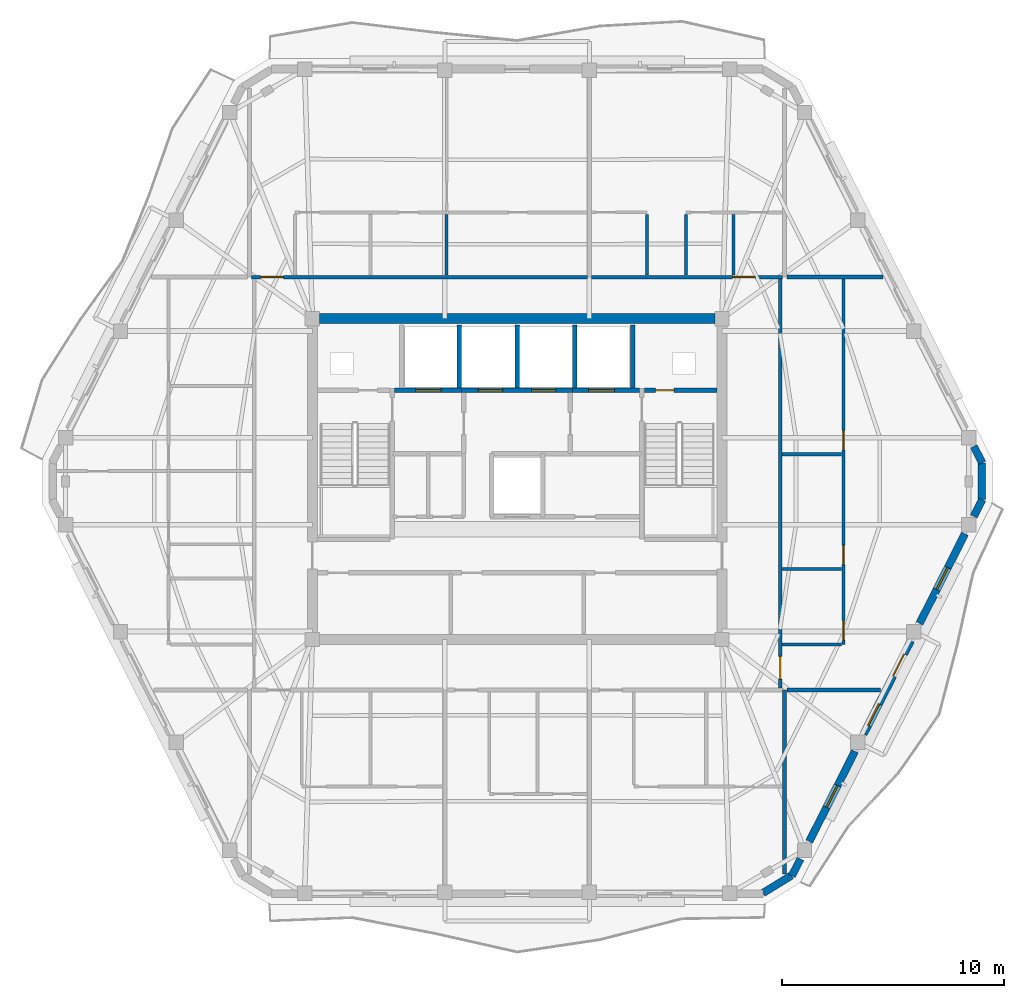
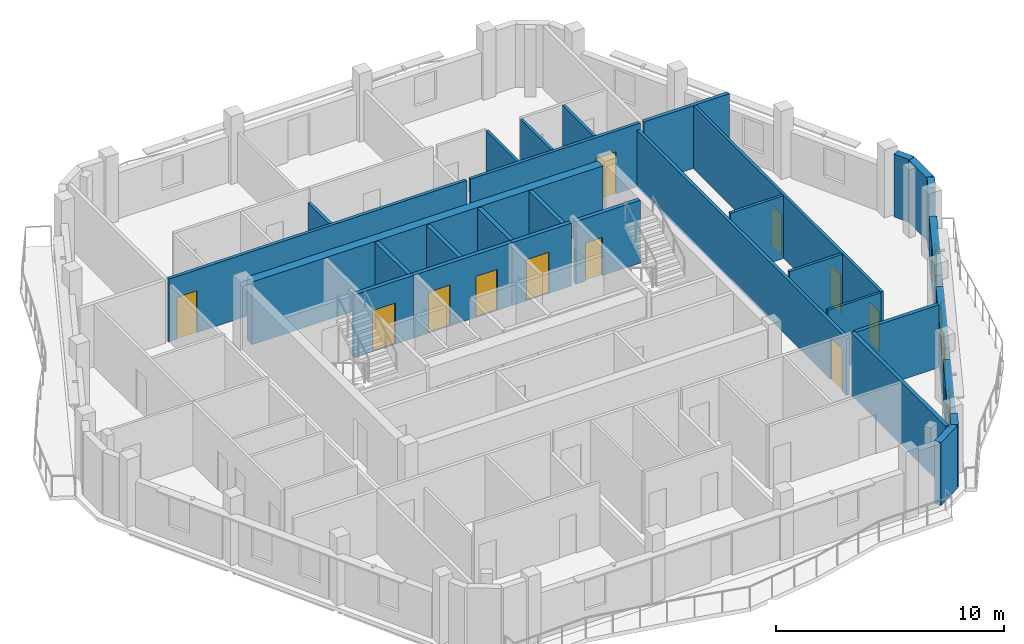
# One storey, part 6 of 11: 31 walls, 12 doors, 3 windows, 15 openings.
"""IFC4 building model written with IfcOpenShell, lengths in metres."""

from ifc_helpers import new_model, si_unit, direction, frame, frame_2d, origin, place, context, subcontext, project, spatial, rectangle, extrude, material, layer, layer_set, type_object, element, fill, save


model = new_model("IFC4")

# Units and contexts
model_context = context("Model", 3, precision=1e-05, world=origin(), true_north=direction((0.0, 1.0)))
body_context = subcontext(model_context, "Body", "Model", "MODEL_VIEW")
ifc_project = project(units=[si_unit("LENGTHUNIT", "METRE"), si_unit("AREAUNIT", "SQUARE_METRE"), si_unit("VOLUMEUNIT", "CUBIC_METRE"), si_unit("PLANEANGLEUNIT", "RADIAN"), si_unit("MASSUNIT", "GRAM", prefix="KILO")], contexts=[model_context])

# Site, building, storey
site_placement = place(None, origin())
site = spatial("IfcSite", under=ifc_project, at=site_placement, CompositionType="ELEMENT")
building_placement = place(site_placement, origin())
building = spatial("IfcBuilding", under=site, at=building_placement, Name="Cinnabar Lancet Tower", CompositionType="ELEMENT")
storey_placement = place(building_placement, frame((0.0, 0.0, 274.449951171875)))
storey = spatial("IfcBuildingStorey", under=building, at=storey_placement, Name="L73", CompositionType="ELEMENT", Elevation=274.449951171875)

# Wall, opening, door
ifc_material_1 = material(Name="Acoustic twin-stud gypsum partition", Category="gypsum")
ifc_layer_1 = layer(ifc_material_1, 0.159912109375)
ifc_layer_set_1 = layer_set([ifc_layer_1], Name="Acoustic twin-stud gypsum partition")
wall_type_1 = type_object("IfcWallType", Name="ARC-WL-CORR-160", PredefinedType="PARTITIONING", material=ifc_layer_set_1)
wall_1_placement = place(storey_placement, frame((20.445068359375, 35.0, 0.0), z_axis=(0.0, 0.0, 1.0), x_axis=(1.0, 0.0, 0.0)))
wall_1 = element("IfcWall", 1, at=wall_1_placement, inside=storey, type_object=wall_type_1, Name="L73 Unit N01 Corridor Wall", PredefinedType="PARTITIONING", context=body_context, shape_type="SweptSolid", body=[
    extrude(rectangle(XDim=15.114013671875, YDim=0.159912109375, at=frame_2d((7.55712890625, 0.0))), origin(), (0.0, 0.0, 1.0), 3.3701171875),
])
opening_1_placement = place(wall_1_placement, frame((0.405029296875, 0.0, 0.0)))
opening_1 = element("IfcOpeningElement", 2, at=opening_1_placement, cuts=wall_1, Name="Opening UD-01", PredefinedType="OPENING", context=body_context, shape_type="SweptSolid", body=[
    extrude(rectangle(XDim=1.02001953125, YDim=2.25, at=frame_2d((0.510009765625, 1.125))), frame((0.0, 0.08984375, 0.0), z_axis=(0.0, -1.0, 0.0), x_axis=(1.0, 0.0, 0.0)), (0.0, 0.0, 1.0), 0.179931640625),
])
ifc_material_2 = material(Name="Solid timber fire-rated apartment entrance door", Category="wood")
door_type_1 = type_object("IfcDoorType", Name="ARC-DR-UNIT", OperationType="NOTDEFINED", PredefinedType="DOOR", material=ifc_material_2)
door_1_placement = place(opening_1_placement, origin())
door_1 = element("IfcDoor", 3, at=door_1_placement, inside=storey, type_object=door_type_1, Name="DR-L73-N01-ENT", OperationType="SINGLE_SWING_LEFT", OverallHeight=2.25, OverallWidth=1.02001953125, PredefinedType="DOOR", context=body_context, shape_type="SweptSolid", body=[
    extrude(rectangle(XDim=1.02001953125, YDim=2.25, at=frame_2d((0.510009765625, 1.125))), frame((0.0, 0.02490234375, 0.0), z_axis=(0.0, -1.0, 0.0), x_axis=(1.0, 0.0, 0.0)), (0.0, 0.0, 1.0), 0.050048828125),
])
fill(opening_1, door_1)

wall_2_placement = place(storey_placement, frame((35.7490234375, 35.0, 0.0), z_axis=(0.0, 0.0, 1.0), x_axis=(1.0, 0.0, 0.0)))
wall_2 = element("IfcWall", 4, at=wall_2_placement, inside=storey, type_object=wall_type_1, Name="L73 Unit N02 Corridor Wall", PredefinedType="PARTITIONING", context=body_context, shape_type="SweptSolid", body=[
    extrude(rectangle(XDim=8.60595703125, YDim=0.159912109375, at=frame_2d((4.302978515625, 0.0))), origin(), (0.0, 0.0, 1.0), 3.3701171875),
])
opening_2_placement = place(wall_2_placement, frame((6.35107421875, 0.0, 0.0)))
opening_2 = element("IfcOpeningElement", 5, at=opening_2_placement, cuts=wall_2, Name="Opening UD-01", PredefinedType="OPENING", context=body_context, shape_type="SweptSolid", body=[
    extrude(rectangle(XDim=1.02001953125, YDim=2.25, at=frame_2d((0.510009765625, 1.125))), frame((0.0, 0.08984375, 0.0), z_axis=(0.0, -1.0, 0.0), x_axis=(1.0, 0.0, 0.0)), (0.0, 0.0, 1.0), 0.179931640625),
])
door_2_placement = place(opening_2_placement, origin())
door_2 = element("IfcDoor", 6, at=door_2_placement, inside=storey, type_object=door_type_1, Name="DR-L73-N02-ENT", OperationType="SINGLE_SWING_RIGHT", OverallHeight=2.25, OverallWidth=1.02001953125, PredefinedType="DOOR", context=body_context, shape_type="SweptSolid", body=[
    extrude(rectangle(XDim=1.02001953125, YDim=2.25, at=frame_2d((0.510009765625, 1.125))), frame((0.0, 0.02490234375, 0.0), z_axis=(0.0, -1.0, 0.0), x_axis=(1.0, 0.0, 0.0)), (0.0, 0.0, 1.0), 0.050048828125),
])
fill(opening_2, door_2)

wall_3_placement = place(storey_placement, frame((44.25, 16.4951171875, 0.0), z_axis=(0.0, 0.0, 1.0), x_axis=(0.0, 1.0, 0.0)))
wall_3 = element("IfcWall", 7, at=wall_3_placement, inside=storey, type_object=wall_type_1, Name="UW-L73-E01-COR", PredefinedType="PARTITIONING", context=body_context, shape_type="SweptSolid", body=[
    extrude(rectangle(XDim=18.409912109375, YDim=0.159912109375, at=frame_2d((9.205078125, 0.0))), origin(), (0.0, 0.0, 1.0), 3.05712890625),
])
opening_3_placement = place(wall_3_placement, frame((0.39990234375, 0.0, 0.0)))
opening_3 = element("IfcOpeningElement", 8, at=opening_3_placement, cuts=wall_3, Name="Opening UD-01", PredefinedType="OPENING", context=body_context, shape_type="SweptSolid", body=[
    extrude(rectangle(XDim=1.02001953125, YDim=2.25, at=frame_2d((0.510009765625, 1.125))), frame((0.0, 0.08984375, 0.0), z_axis=(0.0, -1.0, 0.0), x_axis=(1.0, 0.0, 0.0)), (0.0, 0.0, 1.0), 0.179931640625),
])
door_3_placement = place(opening_3_placement, origin())
door_3 = element("IfcDoor", 9, at=door_3_placement, inside=storey, type_object=door_type_1, Name="DR-L73-E01-ENT", OperationType="SINGLE_SWING_LEFT", OverallHeight=2.25, OverallWidth=1.02001953125, PredefinedType="DOOR", context=body_context, shape_type="SweptSolid", body=[
    extrude(rectangle(XDim=1.02001953125, YDim=2.25, at=frame_2d((0.510009765625, 1.125))), frame((0.0, 0.02490234375, 0.0), z_axis=(0.0, -1.0, 0.0), x_axis=(1.0, 0.0, 0.0)), (0.0, 0.0, 1.0), 0.050048828125),
])
fill(opening_3, door_3)

# Walls
ifc_material_3 = material(Name="Fire-rated twin-frame acoustic drywall", Category="gypsum")
ifc_layer_2 = layer(ifc_material_3, 0.179931640625)
ifc_layer_set_2 = layer_set([ifc_layer_2], Name="Fire-rated twin-frame acoustic drywall")
wall_type_2 = type_object("IfcWallType", Name="ARC-WL-PARTY-180", PredefinedType="PARTITIONING", material=ifc_layer_set_2)
wall_4_placement = place(storey_placement, frame((44.449951171875, 8.118896484375, 0.0), z_axis=(0.0, 0.0, 1.0), x_axis=(0.0, 1.0, 0.0)))
element("IfcWall", 10, at=wall_4_placement, inside=storey, type_object=wall_type_2, Name="PW-L73-SPTY-444", PredefinedType="PARTITIONING", context=body_context, shape_type="SweptSolid", body=[
    extrude(rectangle(XDim=8.281005859375, YDim=0.179931640625, at=frame_2d((4.140625, 0.0))), origin(), (0.0, 0.0, 1.0), 3.3701171875),
])
wall_5_placement = place(storey_placement, frame((44.544921875, 16.39990234375, 0.0), z_axis=(0.0, 0.0, 1.0), x_axis=(1.0, 0.0, 0.0)))
element("IfcWall", 11, at=wall_5_placement, inside=storey, type_object=wall_type_2, Name="PW-L73-ESB", PredefinedType="PARTITIONING", context=body_context, shape_type="SweptSolid", body=[
    extrude(rectangle(XDim=4.22119140625, YDim=0.179931640625, at=frame_2d((2.110595703125, 0.0))), origin(), (0.0, 0.0, 1.0), 3.3701171875),
])
wall_6_placement = place(storey_placement, frame((44.544921875, 35.0, 0.0), z_axis=(0.0, 0.0, 1.0), x_axis=(1.0, 0.0, 0.0)))
element("IfcWall", 12, at=wall_6_placement, inside=storey, type_object=wall_type_2, Name="PW-L73-ENB", PredefinedType="PARTITIONING", context=body_context, shape_type="SweptSolid", body=[
    extrude(rectangle(XDim=4.322021484375, YDim=0.179931640625, at=frame_2d((2.1611328125, 0.0))), origin(), (0.0, 0.0, 1.0), 3.3701171875),
])

# Wall, opening, door
ifc_material_4 = material(Name="Autoclaved aerated concrete blockwork", Category="masonry")
ifc_layer_3 = layer(ifc_material_4, 0.199951171875)
ifc_layer_set_3 = layer_set([ifc_layer_3], Name="Autoclaved aerated concrete blockwork")
wall_type_3 = type_object("IfcWallType", Name="ARC-WL-SHAFT-200", PredefinedType="PLUMBINGWALL", material=ifc_layer_set_3)
wall_7_placement = place(storey_placement, frame((26.885009765625, 29.89990234375, 0.0), z_axis=(0.0, 0.0, 1.0), x_axis=(1.0, 0.0, 0.0)))
wall_7 = element("IfcWall", 13, at=wall_7_placement, inside=storey, type_object=wall_type_3, Name="CW-FL1-L73", PredefinedType="PLUMBINGWALL", context=body_context, shape_type="SweptSolid", body=[
    extrude(rectangle(XDim=3.014892578125, YDim=0.199951171875, at=frame_2d((1.50732421875, 0.0))), origin(), (0.0, 0.0, 1.0), 3.3701171875),
])
opening_4_placement = place(wall_7_placement, frame((0.93994140625, 0.0, 0.0)))
opening_4 = element("IfcOpeningElement", 14, at=opening_4_placement, cuts=wall_7, Name="Opening LD-02", PredefinedType="OPENING", context=body_context, shape_type="SweptSolid", body=[
    extrude(rectangle(XDim=1.14990234375, YDim=2.199951171875, at=frame_2d((0.574951171875, 1.10009765625))), frame((0.0, 0.10986328125, 0.0), z_axis=(0.0, -1.0, 0.0), x_axis=(1.0, 0.0, 0.0)), (0.0, 0.0, 1.0), 0.219970703125),
])
ifc_material_5 = material(Name="Fire-rated stainless steel firefighting lift landing door", Category="steel")
door_type_2 = type_object("IfcDoorType", Name="ARC-DR-LD-FIRE", OperationType="NOTDEFINED", PredefinedType="DOOR", material=ifc_material_5)
door_4_placement = place(opening_4_placement, origin())
door_4 = element("IfcDoor", 15, at=door_4_placement, inside=storey, type_object=door_type_2, Name="L73 Firefighting Lift FL-1 Landing Door", OperationType="DOUBLE_DOOR_SLIDING", OverallHeight=2.199951171875, OverallWidth=1.14990234375, PredefinedType="DOOR", context=body_context, shape_type="SweptSolid", body=[
    extrude(rectangle(XDim=1.14990234375, YDim=2.199951171875, at=frame_2d((0.574951171875, 1.10009765625))), frame((0.0, 0.02490234375, 0.0), z_axis=(0.0, -1.0, 0.0), x_axis=(1.0, 0.0, 0.0)), (0.0, 0.0, 1.0), 0.050048828125),
])
fill(opening_4, door_4)

# Wall, openings, doors
wall_8_placement = place(storey_placement, frame((29.89990234375, 29.89990234375, 0.0), z_axis=(0.0, 0.0, 1.0), x_axis=(1.0, 0.0, 0.0)))
wall_8 = element("IfcWall", 16, at=wall_8_placement, inside=storey, type_object=wall_type_3, Name="CW-PL78-L73", PredefinedType="PLUMBINGWALL", context=body_context, shape_type="SweptSolid", body=[
    extrude(rectangle(XDim=5.0, YDim=0.199951171875, at=frame_2d((2.5, 0.0))), origin(), (0.0, 0.0, 1.0), 3.3701171875),
])
opening_5_placement = place(wall_8_placement, frame((0.75, 0.0, 0.0)))
opening_5 = element("IfcOpeningElement", 17, at=opening_5_placement, cuts=wall_8, Name="Opening LD-01", PredefinedType="OPENING", context=body_context, shape_type="SweptSolid", body=[
    extrude(rectangle(XDim=1.10009765625, YDim=2.199951171875, at=frame_2d((0.550048828125, 1.10009765625))), frame((0.0, 0.10986328125, 0.0), z_axis=(0.0, -1.0, 0.0), x_axis=(1.0, 0.0, 0.0)), (0.0, 0.0, 1.0), 0.219970703125),
])
opening_6_placement = place(wall_8_placement, frame((3.14990234375, 0.0, 0.0)))
opening_6 = element("IfcOpeningElement", 18, at=opening_6_placement, cuts=wall_8, Name="Opening LD-01", PredefinedType="OPENING", context=body_context, shape_type="SweptSolid", body=[
    extrude(rectangle(XDim=1.10009765625, YDim=2.199951171875, at=frame_2d((0.550048828125, 1.10009765625))), frame((0.0, 0.10986328125, 0.0), z_axis=(0.0, -1.0, 0.0), x_axis=(1.0, 0.0, 0.0)), (0.0, 0.0, 1.0), 0.219970703125),
])
ifc_material_6 = material(Name="Brushed stainless steel sliding lift door", Category="steel")
door_type_3 = type_object("IfcDoorType", Name="ARC-DR-LD-PASS", OperationType="NOTDEFINED", PredefinedType="DOOR", material=ifc_material_6)
door_5_placement = place(opening_5_placement, origin())
door_5 = element("IfcDoor", 19, at=door_5_placement, inside=storey, type_object=door_type_3, Name="L73 Lift PL-7 Landing Door", OperationType="DOUBLE_DOOR_SLIDING", OverallHeight=2.199951171875, OverallWidth=1.10009765625, PredefinedType="DOOR", context=body_context, shape_type="SweptSolid", body=[
    extrude(rectangle(XDim=1.10009765625, YDim=2.199951171875, at=frame_2d((0.550048828125, 1.10009765625))), frame((0.0, 0.02490234375, 0.0), z_axis=(0.0, -1.0, 0.0), x_axis=(1.0, 0.0, 0.0)), (0.0, 0.0, 1.0), 0.050048828125),
])
fill(opening_5, door_5)
door_6_placement = place(opening_6_placement, origin())
door_6 = element("IfcDoor", 20, at=door_6_placement, inside=storey, type_object=door_type_3, Name="L73 Lift PL-8 Landing Door", OperationType="DOUBLE_DOOR_SLIDING", OverallHeight=2.199951171875, OverallWidth=1.10009765625, PredefinedType="DOOR", context=body_context, shape_type="SweptSolid", body=[
    extrude(rectangle(XDim=1.10009765625, YDim=2.199951171875, at=frame_2d((0.550048828125, 1.10009765625))), frame((0.0, 0.02490234375, 0.0), z_axis=(0.0, -1.0, 0.0), x_axis=(1.0, 0.0, 0.0)), (0.0, 0.0, 1.0), 0.050048828125),
])
fill(opening_6, door_6)

# Wall, opening, door
wall_9_placement = place(storey_placement, frame((34.89990234375, 29.89990234375, 0.0), z_axis=(0.0, 0.0, 1.0), x_axis=(1.0, 0.0, 0.0)))
wall_9 = element("IfcWall", 21, at=wall_9_placement, inside=storey, type_object=wall_type_3, Name="CW-FL2-L73", PredefinedType="PLUMBINGWALL", context=body_context, shape_type="SweptSolid", body=[
    extrude(rectangle(XDim=3.01513671875, YDim=0.199951171875, at=frame_2d((1.507568359375, 0.0))), origin(), (0.0, 0.0, 1.0), 3.3701171875),
])
opening_7_placement = place(wall_9_placement, frame((0.72509765625, 0.0, 0.0)))
opening_7 = element("IfcOpeningElement", 22, at=opening_7_placement, cuts=wall_9, Name="Opening LD-02", PredefinedType="OPENING", context=body_context, shape_type="SweptSolid", body=[
    extrude(rectangle(XDim=1.14990234375, YDim=2.199951171875, at=frame_2d((0.574951171875, 1.10009765625))), frame((0.0, 0.10986328125, 0.0), z_axis=(0.0, -1.0, 0.0), x_axis=(1.0, 0.0, 0.0)), (0.0, 0.0, 1.0), 0.219970703125),
])
door_7_placement = place(opening_7_placement, origin())
door_7 = element("IfcDoor", 23, at=door_7_placement, inside=storey, type_object=door_type_2, Name="L73 Firefighting Lift FL-2 Landing Door", OperationType="DOUBLE_DOOR_SLIDING", OverallHeight=2.199951171875, OverallWidth=1.14990234375, PredefinedType="DOOR", context=body_context, shape_type="SweptSolid", body=[
    extrude(rectangle(XDim=1.14990234375, YDim=2.199951171875, at=frame_2d((0.574951171875, 1.10009765625))), frame((0.0, 0.02490234375, 0.0), z_axis=(0.0, -1.0, 0.0), x_axis=(1.0, 0.0, 0.0)), (0.0, 0.0, 1.0), 0.050048828125),
])
fill(opening_7, door_7)

wall_10_placement = place(storey_placement, frame((38.125, 29.89990234375, 0.0), z_axis=(0.0, 0.0, 1.0), x_axis=(1.0, 0.0, 0.0)))
wall_10 = element("IfcWall", 24, at=wall_10_placement, inside=storey, type_object=wall_type_3, Name="CW-NSH-E-L73", PredefinedType="PLUMBINGWALL", context=body_context, shape_type="SweptSolid", body=[
    extrude(rectangle(XDim=3.27001953125, YDim=0.199951171875, at=frame_2d((1.635009765625, 0.0))), origin(), (0.0, 0.0, 1.0), 3.3701171875),
])
opening_8_placement = place(wall_10_placement, frame((0.5, 0.0, 0.0)))
opening_8 = element("IfcOpeningElement", 25, at=opening_8_placement, cuts=wall_10, Name="Opening PD-02", PredefinedType="OPENING", context=body_context, shape_type="SweptSolid", body=[
    extrude(rectangle(XDim=0.85009765625, YDim=2.050048828125, at=frame_2d((0.425048828125, 1.02490234375))), frame((0.0, 0.10986328125, 0.0), z_axis=(0.0, -1.0, 0.0), x_axis=(1.0, 0.0, 0.0)), (0.0, 0.0, 1.0), 0.219970703125),
])
ifc_material_7 = material(Name="Fire-rated steel riser access door", Category="steel")
door_type_4 = type_object("IfcDoorType", Name="ARC-DR-RISER", OperationType="NOTDEFINED", PredefinedType="DOOR", material=ifc_material_7)
door_8_placement = place(opening_8_placement, origin())
door_8 = element("IfcDoor", 26, at=door_8_placement, inside=storey, type_object=door_type_4, Name="L73 East Riser Access Door", OperationType="SINGLE_SWING_RIGHT", OverallHeight=2.050048828125, OverallWidth=0.85009765625, PredefinedType="DOOR", context=body_context, shape_type="SweptSolid", body=[
    extrude(rectangle(XDim=0.85009765625, YDim=2.050048828125, at=frame_2d((0.425048828125, 1.02490234375))), frame((0.0, 0.02490234375, 0.0), z_axis=(0.0, -1.0, 0.0), x_axis=(1.0, 0.0, 0.0)), (0.0, 0.0, 1.0), 0.050048828125),
])
fill(opening_8, door_8)

# Walls
for number, where, z_axis, x_axis, name in (
    (27, (29.800048828125, 30.0, 0.0), (0.0, 0.0, 1.0), (0.0, 1.0, 0.0), "CW-NSH-D2-L73"),
    (28, (32.39990234375, 30.0, 0.0), (0.0, 0.0, 1.0), (0.0, 1.0, 0.0), "CW-NSH-D3-L73"),
    (29, (35.0, 30.0, 0.0), (0.0, 0.0, 1.0), (0.0, 1.0, 0.0), "CW-NSH-D4-L73"),
    (30, (37.60009765625, 30.0, 0.0), (0.0, 0.0, 1.0), (0.0, 1.0, 0.0), "CW-NSH-D5-L73"),
):
    element("IfcWall", number, at=place(storey_placement, frame(where, z_axis=z_axis, x_axis=x_axis)), inside=storey, type_object=wall_type_3, Name=name, PredefinedType="PLUMBINGWALL", context=body_context, shape_type="SweptSolid", body=[
        extrude(rectangle(XDim=2.85009765625, YDim=0.199951171875, at=frame_2d((1.425048828125, 0.0))), origin(), (0.0, 0.0, 1.0), 3.3701171875),
    ])
ifc_material_8 = material(Name="Gypsum plasterboard stud partition", Category="gypsum")
ifc_layer_4 = layer(ifc_material_8, 0.125)
ifc_layer_set_4 = layer_set([ifc_layer_4], Name="Gypsum plasterboard stud partition")
wall_type_4 = type_object("IfcWallType", Name="ARC-WL-UNIT-125", PredefinedType="PARTITIONING", material=ifc_layer_set_4)
for number, where, z_axis, x_axis, name in (
    (31, (40.0, 35.0849609375, 0.0), (0.0, 0.0, 1.0), (0.0, 1.0, 0.0), "UW-L73-N02-FOYE"),
    (32, (38.25, 35.0849609375, 0.0), (0.0, 0.0, 1.0), (0.0, 1.0, 0.0), "UW-L73-N02-FOYW"),
):
    element("IfcWall", number, at=place(storey_placement, frame(where, z_axis=z_axis, x_axis=x_axis)), inside=storey, type_object=wall_type_4, Name=name, PredefinedType="PARTITIONING", context=body_context, shape_type="SweptSolid", body=[
        extrude(rectangle(XDim=2.72509765625, YDim=0.125, at=frame_2d((1.362548828125, 0.0))), origin(), (0.0, 0.0, 1.0), 3.3701171875),
    ])
wall_11_placement = place(storey_placement, frame((44.3349609375, 18.449951171875, 0.0), z_axis=(0.0, 0.0, 1.0), x_axis=(1.0, 0.0, 0.0)))
element("IfcWall", 33, at=wall_11_placement, inside=storey, type_object=wall_type_4, Name="UW-L73-E01-FOYN", PredefinedType="PARTITIONING", context=body_context, shape_type="SweptSolid", body=[
    extrude(rectangle(XDim=2.679931640625, YDim=0.125, at=frame_2d((1.33984375, 0.0))), origin(), (0.0, 0.0, 1.0), 3.3701171875),
])
ifc_material_9 = material(Name="Moisture-resistant cement-board plumbing wall", Category="masonry")
ifc_layer_5 = layer(ifc_material_9, 0.139892578125)
ifc_layer_set_5 = layer_set([ifc_layer_5], Name="Moisture-resistant cement-board plumbing wall")
wall_type_5 = type_object("IfcWallType", Name="ARC-WL-WET-140", PredefinedType="PLUMBINGWALL", material=ifc_layer_set_5)
wall_12_placement = place(storey_placement, frame((29.22607421875, 35.0849609375, 0.0), z_axis=(0.0, 0.0, 1.0), x_axis=(0.0, 1.0, 0.0)))
element("IfcWall", 34, at=wall_12_placement, inside=storey, type_object=wall_type_5, Name="UW-L73-N01-ENSW", PredefinedType="PLUMBINGWALL", context=body_context, shape_type="SweptSolid", body=[
    extrude(rectangle(XDim=2.72509765625, YDim=0.139892578125, at=frame_2d((1.362548828125, 0.0))), origin(), (0.0, 0.0, 1.0), 2.677001953125),
])
wall_13_placement = place(storey_placement, frame((42.135986328125, 35.0849609375, 0.0), z_axis=(0.0, 0.0, 1.0), x_axis=(0.0, 1.0, 0.0)))
element("IfcWall", 35, at=wall_13_placement, inside=storey, type_object=wall_type_5, Name="UW-L73-N02-KDV", PredefinedType="PLUMBINGWALL", context=body_context, shape_type="SweptSolid", body=[
    extrude(rectangle(XDim=2.72509765625, YDim=0.139892578125, at=frame_2d((1.362548828125, 0.0))), origin(), (0.0, 0.0, 1.0), 3.3701171875),
])

# Wall, openings, doors
wall_14_placement = place(storey_placement, frame((47.10009765625, 18.449951171875, 0.0), z_axis=(0.0, 0.0, 1.0), x_axis=(0.0, 1.0, 0.0)))
wall_14 = element("IfcWall", 36, at=wall_14_placement, inside=storey, type_object=wall_type_5, Name="UW-L73-E01-SPL", PredefinedType="PLUMBINGWALL", context=body_context, shape_type="SweptSolid", body=[
    extrude(rectangle(XDim=16.455078125, YDim=0.139892578125, at=frame_2d((8.2275390625, 0.0))), origin(), (0.0, 0.0, 1.0), 3.3701171875),
])
opening_9_placement = place(wall_14_placement, frame((3.60009765625, 0.0, 0.0)))
opening_9 = element("IfcOpeningElement", 37, at=opening_9_placement, cuts=wall_14, Name="Opening BD-01", PredefinedType="OPENING", context=body_context, shape_type="SweptSolid", body=[
    extrude(rectangle(XDim=0.860107421875, YDim=2.10009765625, at=frame_2d((0.43017578125, 1.050048828125))), frame((0.0, 0.079833984375, 0.0), z_axis=(0.0, -1.0, 0.0), x_axis=(1.0, 0.0, 0.0)), (0.0, 0.0, 1.0), 0.159912109375),
])
opening_10_placement = place(wall_14_placement, frame((8.76904296875, 0.0, 0.0)))
opening_10 = element("IfcOpeningElement", 38, at=opening_10_placement, cuts=wall_14, Name="Opening RD-02", PredefinedType="OPENING", context=body_context, shape_type="SweptSolid", body=[
    extrude(rectangle(XDim=0.8798828125, YDim=2.14990234375, at=frame_2d((0.43994140625, 1.074951171875))), frame((0.0, 0.079833984375, 0.0), z_axis=(0.0, -1.0, 0.0), x_axis=(1.0, 0.0, 0.0)), (0.0, 0.0, 1.0), 0.159912109375),
])
opening_11_placement = place(wall_14_placement, frame((0.199951171875, 0.0, 0.0)))
opening_11 = element("IfcOpeningElement", 39, at=opening_11_placement, cuts=wall_14, Name="Opening RD-02", PredefinedType="OPENING", context=body_context, shape_type="SweptSolid", body=[
    extrude(rectangle(XDim=0.8798828125, YDim=2.14990234375, at=frame_2d((0.43994140625, 1.074951171875))), frame((0.0, 0.079833984375, 0.0), z_axis=(0.0, -1.0, 0.0), x_axis=(1.0, 0.0, 0.0)), (0.0, 0.0, 1.0), 0.159912109375),
])
ifc_material_10 = material(Name="Moisture-resistant timber bathroom door", Category="wood")
door_type_5 = type_object("IfcDoorType", Name="ARC-DR-BATH", OperationType="NOTDEFINED", PredefinedType="DOOR", material=ifc_material_10)
door_9_placement = place(opening_9_placement, origin())
door_9 = element("IfcDoor", 40, at=door_9_placement, inside=storey, type_object=door_type_5, Name="DR-L73-E01-BTH", OperationType="SINGLE_SWING_LEFT", OverallHeight=2.10009765625, OverallWidth=0.860107421875, PredefinedType="DOOR", context=body_context, shape_type="SweptSolid", body=[
    extrude(rectangle(XDim=0.860107421875, YDim=2.10009765625, at=frame_2d((0.43017578125, 1.050048828125))), frame((0.0, 0.02490234375, 0.0), z_axis=(0.0, -1.0, 0.0), x_axis=(1.0, 0.0, 0.0)), (0.0, 0.0, 1.0), 0.050048828125),
])
fill(opening_9, door_9)
ifc_material_11 = material(Name="Engineered timber study door", Category="wood")
door_type_6 = type_object("IfcDoorType", Name="ARC-DR-STUDY", OperationType="NOTDEFINED", PredefinedType="DOOR", material=ifc_material_11)
door_10_placement = place(opening_10_placement, origin())
door_10 = element("IfcDoor", 41, at=door_10_placement, inside=storey, type_object=door_type_6, Name="DR-L73-E01-WDR", OperationType="SINGLE_SWING_RIGHT", OverallHeight=2.14990234375, OverallWidth=0.8798828125, PredefinedType="DOOR", context=body_context, shape_type="SweptSolid", body=[
    extrude(rectangle(XDim=0.8798828125, YDim=2.14990234375, at=frame_2d((0.43994140625, 1.074951171875))), frame((0.0, 0.02490234375, 0.0), z_axis=(0.0, -1.0, 0.0), x_axis=(1.0, 0.0, 0.0)), (0.0, 0.0, 1.0), 0.050048828125),
])
fill(opening_10, door_10)
door_11_placement = place(opening_11_placement, origin())
door_11 = element("IfcDoor", 42, at=door_11_placement, inside=storey, type_object=door_type_6, Name="DR-L73-E01-KIT", OperationType="SINGLE_SWING_RIGHT", OverallHeight=2.14990234375, OverallWidth=0.8798828125, PredefinedType="DOOR", context=body_context, shape_type="SweptSolid", body=[
    extrude(rectangle(XDim=0.8798828125, YDim=2.14990234375, at=frame_2d((0.43994140625, 1.074951171875))), frame((0.0, 0.02490234375, 0.0), z_axis=(0.0, -1.0, 0.0), x_axis=(1.0, 0.0, 0.0)), (0.0, 0.0, 1.0), 0.050048828125),
])
fill(opening_11, door_11)

# Walls
for number, where, z_axis, x_axis, name in (
    (43, (44.3349609375, 21.85009765625, 0.0), (0.0, 0.0, 1.0), (1.0, 0.0, 0.0), "UW-L73-E01-KDV"),
    (44, (44.3349609375, 27.01904296875, 0.0), (0.0, 0.0, 1.0), (1.0, 0.0, 0.0), "UW-L73-E01-BWDV"),
):
    element("IfcWall", number, at=place(storey_placement, frame(where, z_axis=z_axis, x_axis=x_axis)), inside=storey, type_object=wall_type_5, Name=name, PredefinedType="PLUMBINGWALL", context=body_context, shape_type="SweptSolid", body=[
        extrude(rectangle(XDim=2.679931640625, YDim=0.139892578125, at=frame_2d((1.33984375, 0.0))), origin(), (0.0, 0.0, 1.0), 3.3701171875),
    ])
ifc_material_12 = material(Name="Cinnabar red clay brick", Category="masonry")
ifc_layer_6 = layer(ifc_material_12, 0.340087890625)
ifc_layer_set_6 = layer_set([ifc_layer_6], Name="Cinnabar red clay brick")
wall_type_6 = type_object("IfcWallType", Name="ENV-WL-BRK-RED-340", PredefinedType="STANDARD", material=ifc_layer_set_6)
wall_15_placement = place(storey_placement, frame((43.468994140625, 7.2548828125, 0.0), z_axis=(0.0, 0.0, 1.0), x_axis=(0.851680557619, 0.52406128246, 0.0)))
element("IfcWall", 45, at=wall_15_placement, inside=storey, type_object=wall_type_6, Name="L73 Chamfered Corner Brick Pier 2.1", PredefinedType="STANDARD", context=body_context, shape_type="SweptSolid", body=[
    extrude(rectangle(XDim=1.507568359375, YDim=0.340087890625, at=frame_2d((0.75390625, 0.0))), origin(), (0.0, 0.0, 1.0), 3.3701171875),
])
wall_16_placement = place(storey_placement, frame((53.322998046875, 24.97998046875, 0.0), z_axis=(0.0, 0.0, 1.0), x_axis=(0.0, 1.0, 0.0)))
element("IfcWall", 46, at=wall_16_placement, inside=storey, type_object=wall_type_6, Name="L73 Chamfered Corner Brick Pier 3.1", PredefinedType="STANDARD", context=body_context, shape_type="SweptSolid", body=[
    extrude(rectangle(XDim=1.64013671875, YDim=0.340087890625, at=frame_2d((0.820068359375, 0.0))), origin(), (0.0, 0.0, 1.0), 3.3701171875),
])
wall_17_placement = place(storey_placement, frame((44.77294921875, 8.029052734375, 0.0), z_axis=(0.0, 0.0, 1.0), x_axis=(0.451907025977, 0.8920650424, 0.0)))
element("IfcWall", 47, at=wall_17_placement, inside=storey, type_object=wall_type_6, Name="L73 Face 2 Masonry Bay Wall 1", PredefinedType="STANDARD", context=body_context, shape_type="SweptSolid", body=[
    extrude(rectangle(XDim=0.85205078125, YDim=0.340087890625, at=frame_2d((0.426025390625, 0.0))), origin(), (0.0, 0.0, 1.0), 3.3701171875),
])

# Wall, opening, window
wall_18_placement = place(storey_placement, frame((45.555908203125, 9.576904296875, 0.0), z_axis=(0.0, 0.0, 1.0), x_axis=(0.45154039276, 0.892250678737, 0.0)))
wall_18 = element("IfcWall", 48, at=wall_18_placement, inside=storey, type_object=wall_type_6, Name="L73 Face 2 Masonry Bay Wall 2", PredefinedType="STANDARD", context=body_context, shape_type="SweptSolid", body=[
    extrude(rectangle(XDim=4.5537109375, YDim=0.340087890625, at=frame_2d((2.27685546875, 0.0))), origin(), (0.0, 0.0, 1.0), 2.4599609375),
])
opening_12_placement = place(wall_18_placement, frame((1.72705078125, 0.0, 0.75)))
opening_12 = element("IfcOpeningElement", 49, at=opening_12_placement, cuts=wall_18, Name="Opening WN-04", PredefinedType="OPENING", context=body_context, shape_type="SweptSolid", body=[
    extrude(rectangle(XDim=1.10009765625, YDim=1.56005859375, at=frame_2d((0.550048828125, 0.780029296875))), frame((0.0, 0.179931640625, 0.0), z_axis=(0.0, -1.0, 0.0), x_axis=(1.0, 0.0, 0.0)), (0.0, 0.0, 1.0), 0.360107421875),
])
ifc_material_13 = material(Name="Thermally broken bronze-anodized aluminium tall lancet window", Category="aluminium")
window_type = type_object("IfcWindowType", Name="ENV-WN-LANCET-1100", PartitioningType="SINGLE_PANEL", PredefinedType="WINDOW", material=ifc_material_13)
window_1_placement = place(opening_12_placement, origin())
window_1 = element("IfcWindow", 50, at=window_1_placement, inside=storey, type_object=window_type, Name="L73 Face 2 Gothic Lancet Window 2", OverallHeight=1.56005859375, OverallWidth=1.10009765625, PartitioningType="SINGLE_PANEL", PredefinedType="WINDOW", context=body_context, shape_type="SweptSolid", body=[
    extrude(rectangle(XDim=1.10009765625, YDim=1.56005859375, at=frame_2d((0.550048828125, 0.780029296875))), frame((0.0, 0.030029296875, 0.0), z_axis=(0.0, -1.0, 0.0), x_axis=(1.0, 0.0, 0.0)), (0.0, 0.0, 1.0), 0.06005859375),
])
fill(opening_12, window_1)

# Wall, openings, door, window
wall_19_placement = place(storey_placement, frame((48.001953125, 14.4130859375, 0.0), z_axis=(0.0, 0.0, 1.0), x_axis=(0.451468341582, 0.892287137949, 0.0)))
wall_19 = element("IfcWall", 51, at=wall_19_placement, inside=storey, type_object=wall_type_6, Name="L73 Face 2 Masonry Bay Wall 3", PredefinedType="STANDARD", context=body_context, shape_type="SweptSolid", body=[
    extrude(rectangle(XDim=4.72265625, YDim=0.340087890625, at=frame_2d((2.361328125, 0.0))), origin(), (0.0, 0.0, 1.0), 2.4599609375),
])
opening_13_placement = place(wall_19_placement, frame((2.94091796875, 0.0, 0.0)))
opening_13 = element("IfcOpeningElement", 52, at=opening_13_placement, cuts=wall_19, Name="Opening TD-01", PredefinedType="OPENING", context=body_context, shape_type="SweptSolid", body=[
    extrude(rectangle(XDim=1.10009765625, YDim=2.25, at=frame_2d((0.550048828125, 1.125))), frame((0.0, 0.179931640625, 0.0), z_axis=(0.0, -1.0, 0.0), x_axis=(1.0, 0.0, 0.0)), (0.0, 0.0, 1.0), 0.360107421875),
])
opening_14_placement = place(wall_19_placement, frame((0.43408203125, 0.0, 0.75)))
opening_14 = element("IfcOpeningElement", 53, at=opening_14_placement, cuts=wall_19, Name="Opening WN-04", PredefinedType="OPENING", context=body_context, shape_type="SweptSolid", body=[
    extrude(rectangle(XDim=1.10009765625, YDim=1.56005859375, at=frame_2d((0.550048828125, 0.780029296875))), frame((0.0, 0.179931640625, 0.0), z_axis=(0.0, -1.0, 0.0), x_axis=(1.0, 0.0, 0.0)), (0.0, 0.0, 1.0), 0.360107421875),
])
ifc_material_14 = material(Name="Thermally broken low-E glazed balcony terrace door", Category="wood")
door_type_7 = type_object("IfcDoorType", Name="ARC-DR-BALC", OperationType="NOTDEFINED", PredefinedType="DOOR", material=ifc_material_14)
door_12_placement = place(opening_13_placement, origin())
door_12 = element("IfcDoor", 54, at=door_12_placement, inside=storey, type_object=door_type_7, Name="L73 Face 2 Glazed Terrace Door", OperationType="SINGLE_SWING_RIGHT", OverallHeight=2.25, OverallWidth=1.10009765625, PredefinedType="DOOR", context=body_context, shape_type="SweptSolid", body=[
    extrude(rectangle(XDim=1.10009765625, YDim=2.25, at=frame_2d((0.550048828125, 1.125))), frame((0.0, 0.02490234375, 0.0), z_axis=(0.0, -1.0, 0.0), x_axis=(1.0, 0.0, 0.0)), (0.0, 0.0, 1.0), 0.050048828125),
])
fill(opening_13, door_12)
window_2_placement = place(opening_14_placement, origin())
window_2 = element("IfcWindow", 55, at=window_2_placement, inside=storey, type_object=window_type, Name="L73 Split-Bay Gothic Lancet Window 272", OverallHeight=1.56005859375, OverallWidth=1.10009765625, PartitioningType="SINGLE_PANEL", PredefinedType="WINDOW", context=body_context, shape_type="SweptSolid", body=[
    extrude(rectangle(XDim=1.10009765625, YDim=1.56005859375, at=frame_2d((0.550048828125, 0.780029296875))), frame((0.0, 0.030029296875, 0.0), z_axis=(0.0, -1.0, 0.0), x_axis=(1.0, 0.0, 0.0)), (0.0, 0.0, 1.0), 0.06005859375),
])
fill(opening_14, window_2)

# Wall, opening, window
wall_20_placement = place(storey_placement, frame((50.52294921875, 19.39697265625, 0.0), z_axis=(0.0, 0.0, 1.0), x_axis=(0.45147697324, 0.892282770558, 0.0)))
wall_20 = element("IfcWall", 56, at=wall_20_placement, inside=storey, type_object=wall_type_6, Name="L73 Face 2 Masonry Bay Wall 4", PredefinedType="STANDARD", context=body_context, shape_type="SweptSolid", body=[
    extrude(rectangle(XDim=4.530029296875, YDim=0.340087890625, at=frame_2d((2.26513671875, 0.0))), origin(), (0.0, 0.0, 1.0), 2.4599609375),
])
opening_15_placement = place(wall_20_placement, frame((1.715087890625, 0.0, 0.75)))
opening_15 = element("IfcOpeningElement", 57, at=opening_15_placement, cuts=wall_20, Name="Opening WN-04", PredefinedType="OPENING", context=body_context, shape_type="SweptSolid", body=[
    extrude(rectangle(XDim=1.10009765625, YDim=1.56005859375, at=frame_2d((0.550048828125, 0.780029296875))), frame((0.0, 0.179931640625, 0.0), z_axis=(0.0, -1.0, 0.0), x_axis=(1.0, 0.0, 0.0)), (0.0, 0.0, 1.0), 0.360107421875),
])
window_3_placement = place(opening_15_placement, origin())
window_3 = element("IfcWindow", 58, at=window_3_placement, inside=storey, type_object=window_type, Name="L73 Face 2 Gothic Lancet Window 4", OverallHeight=1.56005859375, OverallWidth=1.10009765625, PartitioningType="SINGLE_PANEL", PredefinedType="WINDOW", context=body_context, shape_type="SweptSolid", body=[
    extrude(rectangle(XDim=1.10009765625, YDim=1.56005859375, at=frame_2d((0.550048828125, 0.780029296875))), frame((0.0, 0.030029296875, 0.0), z_axis=(0.0, -1.0, 0.0), x_axis=(1.0, 0.0, 0.0)), (0.0, 0.0, 1.0), 0.06005859375),
])
fill(opening_15, window_3)

# Walls
wall_21_placement = place(storey_placement, frame((52.965087890625, 24.22412109375, 0.0), z_axis=(0.0, 0.0, 1.0), x_axis=(0.4515140893, 0.892263989615, 0.0)))
element("IfcWall", 59, at=wall_21_placement, inside=storey, type_object=wall_type_6, Name="L73 Face 2 Masonry Bay Wall 5", PredefinedType="STANDARD", context=body_context, shape_type="SweptSolid", body=[
    extrude(rectangle(XDim=0.839111328125, YDim=0.340087890625, at=frame_2d((0.41943359375, 0.0))), origin(), (0.0, 0.0, 1.0), 3.3701171875),
])
wall_22_placement = place(storey_placement, frame((53.343994140625, 26.626953125, 0.0), z_axis=(0.0, 0.0, 1.0), x_axis=(-0.45139691133, 0.892323275748, 0.0)))
element("IfcWall", 60, at=wall_22_placement, inside=storey, type_object=wall_type_6, Name="L73 Face 3 Masonry Bay Wall 1", PredefinedType="STANDARD", context=body_context, shape_type="SweptSolid", body=[
    extrude(rectangle(XDim=0.83935546875, YDim=0.340087890625, at=frame_2d((0.419677734375, 0.0))), origin(), (0.0, 0.0, 1.0), 3.3701171875),
])
ifc_material_15 = material(Name="Concrete C50/60", Category="concrete")
ifc_layer_7 = layer(ifc_material_15, 0.449951171875)
ifc_layer_set_7 = layer_set([ifc_layer_7], Name="Concrete C50/60")
wall_type_7 = type_object("IfcWallType", Name="STR-WL-CORE-450", PredefinedType="SHEAR", material=ifc_layer_set_7)
wall_23_placement = place(storey_placement, frame((23.5, 33.125, 0.0), z_axis=(0.0, 0.0, 1.0), x_axis=(1.0, 0.0, 0.0)))
element("IfcWall", 61, at=wall_23_placement, inside=storey, type_object=wall_type_7, Name="L73 Core Shear Wall N", PredefinedType="SHEAR", context=body_context, shape_type="SweptSolid", body=[
    extrude(rectangle(XDim=17.800048828125, YDim=0.449951171875, at=frame_2d((8.89990234375, 0.0))), origin(), (0.0, 0.0, 1.0), 3.3701171875),
])

save(model, "model.ifc")
